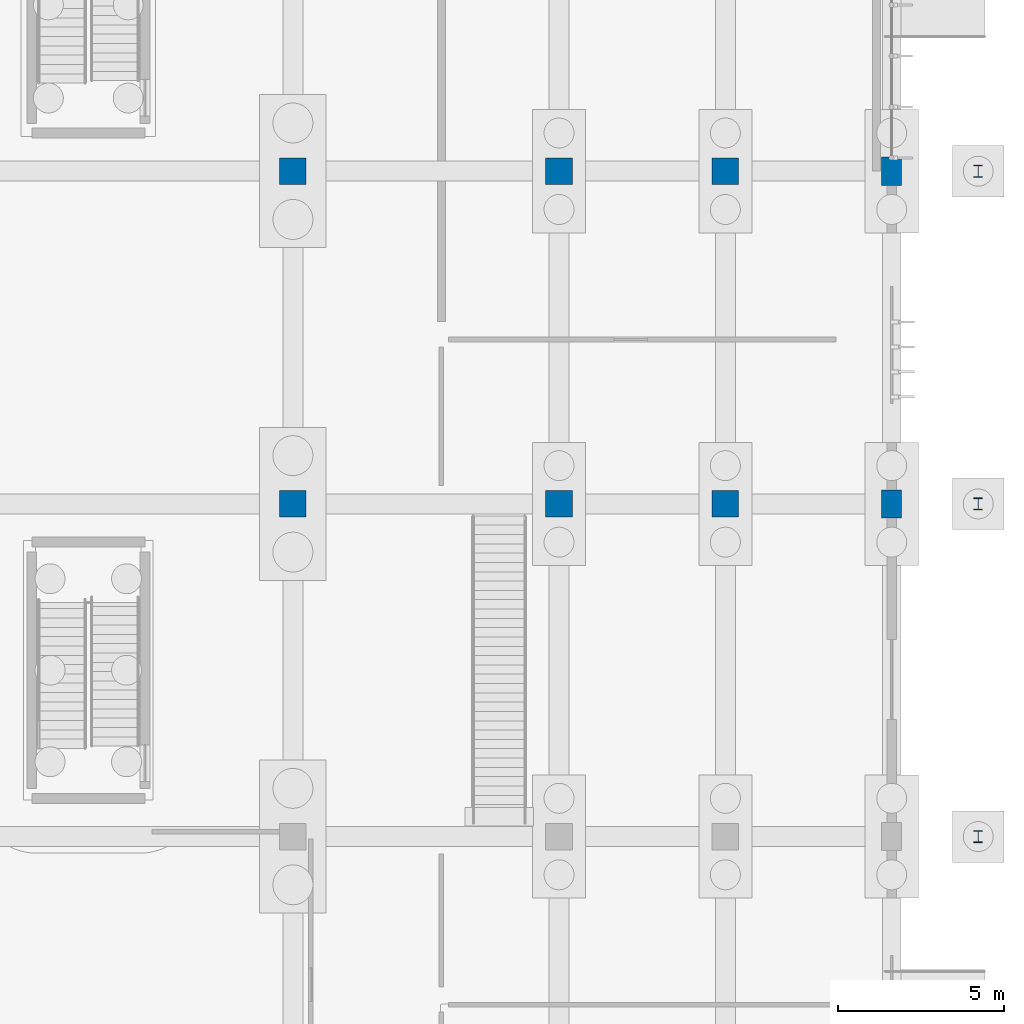
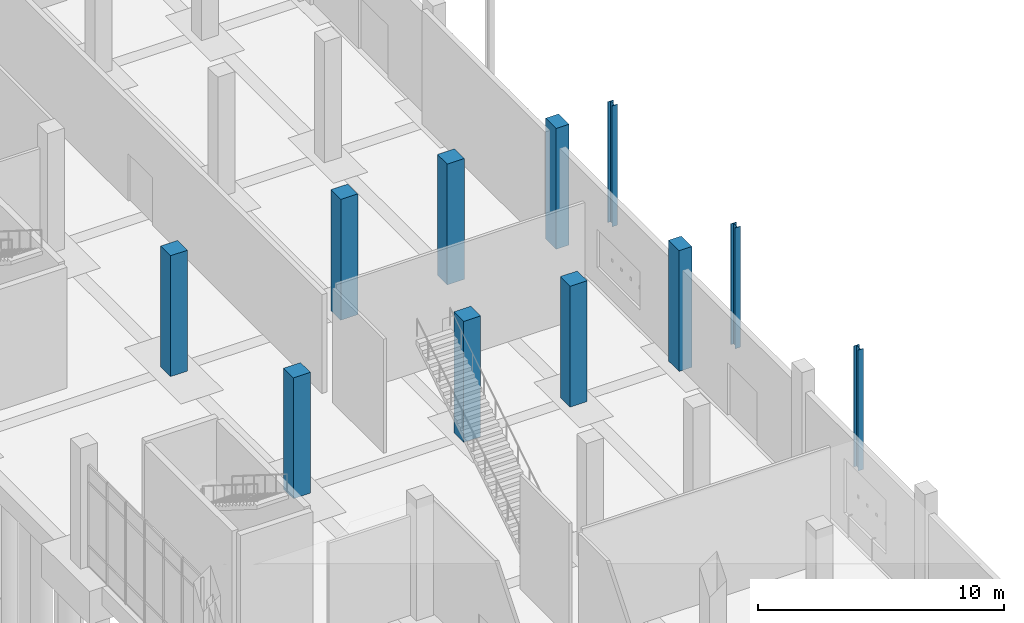
# One storey, part 25 of 140: 11 columns.
"""IFC4 building model written with IfcOpenShell, lengths in metres."""

from ifc_helpers import new_model, si_unit, direction, frame, origin, origin_2d, place, context, subcontext, project, spatial, rectangle, i_section, extrude, material, material_profile, profile_set, type_object, element, save


model = new_model("IFC4")

# Units and contexts
model_context = context("Model", 3, precision=1e-05, world=origin(), true_north=direction((0.0, 1.0)))
body_context = subcontext(model_context, "Body", "Model", "MODEL_VIEW")
ifc_project = project(units=[si_unit("LENGTHUNIT", "METRE"), si_unit("AREAUNIT", "SQUARE_METRE"), si_unit("VOLUMEUNIT", "CUBIC_METRE"), si_unit("PLANEANGLEUNIT", "RADIAN"), si_unit("MASSUNIT", "GRAM", prefix="KILO")], contexts=[model_context])

# Site, building, storey
site_placement = place(None, origin())
site = spatial("IfcSite", under=ifc_project, at=site_placement, CompositionType="ELEMENT")
building_placement = place(site_placement, origin())
building = spatial("IfcBuilding", under=site, at=building_placement, Name="Corvandel Quay Wholesale Market", CompositionType="ELEMENT")
storey_placement = place(building_placement, origin())
storey = spatial("IfcBuildingStorey", under=building, at=storey_placement, Name="L00", CompositionType="ELEMENT", Elevation=0.0)

# Columns
ifc_material_1 = material(Name="Precast concrete C45/55", Category="concrete")
ifc_material_profile_1 = material_profile(ifc_material_1, rectangle(XDim=0.60009765625, YDim=0.85009765625, at=origin_2d()), Name="PC-COL-600x850")
ifc_profile_set_1 = profile_set([ifc_material_profile_1], Name="Precast concrete C45/55")
column_type_1 = type_object("IfcColumnType", Name="Colonnade Pier C08 600x850", PredefinedType="COLUMN", material=ifc_profile_set_1)
for number, where, z_axis, x_axis, name in (
    (1, (248.0, 50.0, 0.0), (0.0, 0.0, 1.0), (1.0, 0.0, 0.0), "Column COL-0930"),
    (2, (248.0, 60.0, 0.0), (0.0, 0.0, 1.0), (1.0, 0.0, 0.0), "Column COL-0932"),
):
    element("IfcColumn", number, at=place(storey_placement, frame(where, z_axis=z_axis, x_axis=x_axis)), inside=storey, type_object=column_type_1, Name=name, PredefinedType="COLUMN", context=body_context, shape_type="SweptSolid", body=[
        extrude(rectangle(XDim=0.60009765625, YDim=0.85009765625, at=origin_2d()), origin(), (0.0, 0.0, 1.0), 6.0),
    ])
ifc_material_profile_2 = material_profile(ifc_material_1, rectangle(XDim=0.800048828125, YDim=0.800048828125, at=origin_2d()), Name="PC-COL-800x800")
ifc_profile_set_2 = profile_set([ifc_material_profile_2], Name="Precast concrete C45/55")
column_type_2 = type_object("IfcColumnType", Name="Precast Column C02 800x800", PredefinedType="COLUMN", material=ifc_profile_set_2)
for number, where, z_axis, x_axis, name in (
    (3, (230.0, 50.0, 0.0), (0.0, 0.0, 1.0), (1.0, 0.0, 0.0), "Column COL-0827"),
    (4, (230.0, 60.0, 0.0), (0.0, 0.0, 1.0), (1.0, 0.0, 0.0), "Column COL-0831"),
    (5, (238.0, 50.0, 0.0), (0.0, 0.0, 1.0), (1.0, 0.0, 0.0), "Column COL-0867"),
    (6, (238.0, 60.0, 0.0), (0.0, 0.0, 1.0), (1.0, 0.0, 0.0), "Column COL-0871"),
    (7, (243.0, 50.0, 0.0), (0.0, 0.0, 1.0), (1.0, 0.0, 0.0), "Column COL-0903"),
    (8, (243.0, 60.0, 0.0), (0.0, 0.0, 1.0), (1.0, 0.0, 0.0), "Column COL-0906"),
):
    element("IfcColumn", number, at=place(storey_placement, frame(where, z_axis=z_axis, x_axis=x_axis)), inside=storey, type_object=column_type_2, Name=name, PredefinedType="COLUMN", context=body_context, shape_type="SweptSolid", body=[
        extrude(rectangle(XDim=0.800048828125, YDim=0.800048828125, at=origin_2d()), origin(), (0.0, 0.0, 1.0), 6.0),
    ])
ifc_material_2 = material(Name="Steel A992 Grade 50", Category="steel")
ifc_material_profile_3 = material_profile(ifc_material_2, i_section(OverallWidth=0.2548828125, OverallDepth=0.35693359375, WebThickness=0.010498046875, FlangeThickness=0.018310546875, at=origin_2d()), Name="W14X68")
ifc_profile_set_3 = profile_set([ifc_material_profile_3], Name="Steel A992 Grade 50")
column_type_3 = type_object("IfcColumnType", Name="Steel Canopy Column C13 W14X68", PredefinedType="COLUMN", material=ifc_profile_set_3)
for number, where, z_axis, x_axis, name in (
    (9, (250.60009765625, 40.0, 0.0), (0.0, 0.0, 1.0), (1.0, 0.0, 0.0), "Column COL-0943"),
    (10, (250.60009765625, 50.0, 0.0), (0.0, 0.0, 1.0), (1.0, 0.0, 0.0), "Column COL-0944"),
    (11, (250.60009765625, 60.0, 0.0), (0.0, 0.0, 1.0), (1.0, 0.0, 0.0), "Column COL-0945"),
):
    element("IfcColumn", number, at=place(storey_placement, frame(where, z_axis=z_axis, x_axis=x_axis)), inside=storey, type_object=column_type_3, Name=name, PredefinedType="COLUMN", context=body_context, shape_type="SweptSolid", body=[
        extrude(i_section(OverallWidth=0.2548828125, OverallDepth=0.35693359375, WebThickness=0.010498046875, FlangeThickness=0.018310546875, at=origin_2d()), origin(), (0.0, 0.0, 1.0), 6.0),
    ])

save(model, "model.ifc")
